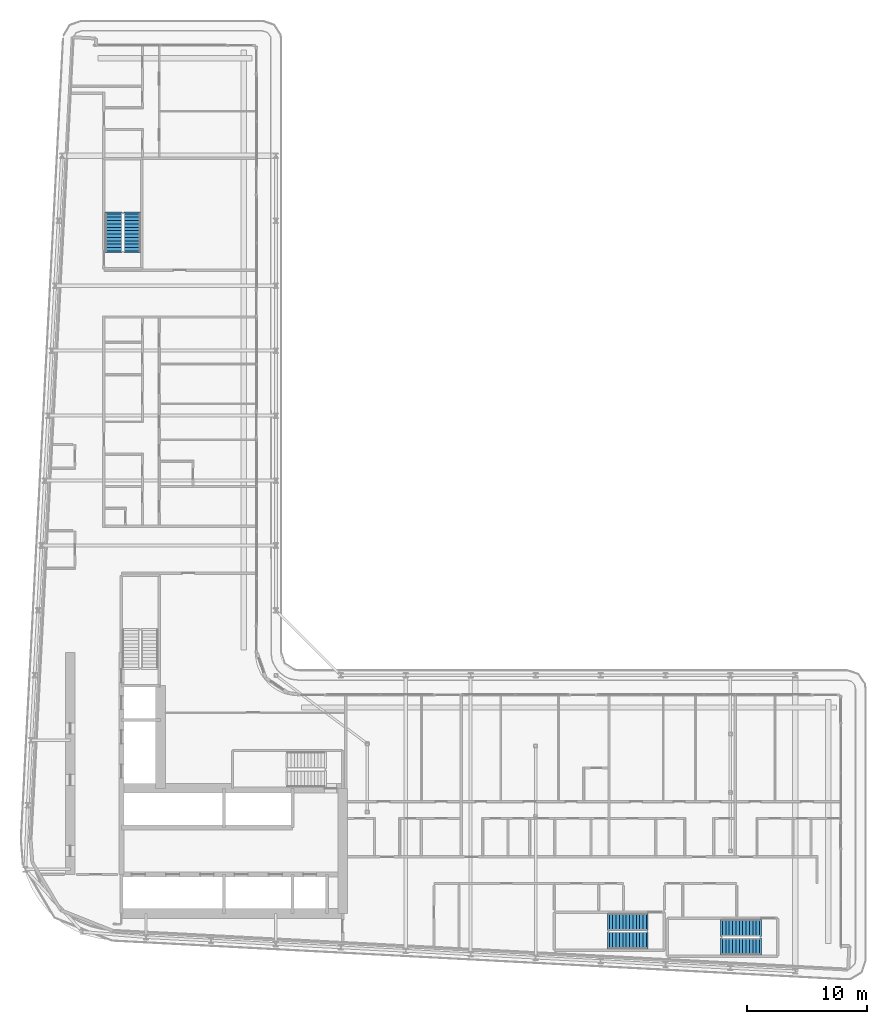
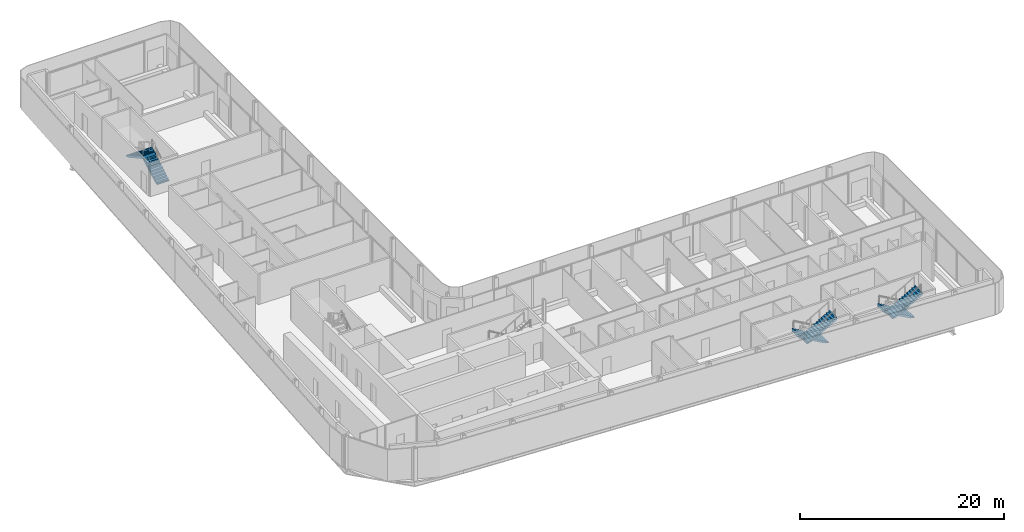
# One storey, part 22 of 29: 6 stair flights, 3 elements without a shape of their own.
"""IFC4 building model written with IfcOpenShell, lengths in metres."""

from ifc_helpers import new_model, si_unit, direction, frame, origin, place, context, subcontext, project, spatial, polyline, outline, extrude, material, layer, layer_set, type_object, element, aggregate, save


model = new_model("IFC4")

# Units and contexts
model_context = context("Model", 3, precision=1e-05, world=origin(), true_north=direction((0.0, 1.0)))
body_context = subcontext(model_context, "Body", "Model", "MODEL_VIEW")
ifc_project = project(units=[si_unit("LENGTHUNIT", "METRE"), si_unit("AREAUNIT", "SQUARE_METRE"), si_unit("VOLUMEUNIT", "CUBIC_METRE"), si_unit("PLANEANGLEUNIT", "RADIAN"), si_unit("MASSUNIT", "GRAM", prefix="KILO")], contexts=[model_context])

# Site, building, storey
site_placement = place(None, origin())
site = spatial("IfcSite", under=ifc_project, at=site_placement, CompositionType="ELEMENT")
building_placement = place(site_placement, origin())
building = spatial("IfcBuilding", under=site, at=building_placement, Name="Kheshtan School and Residences Tower", CompositionType="ELEMENT")
storey_placement = place(building_placement, frame((0.0, 0.0, 172.10009765625)))
storey = spatial("IfcBuildingStorey", under=building, at=storey_placement, Name="L40", CompositionType="ELEMENT", Elevation=172.10009765625)

# Stair, stair flights
ifc_material = material(Name="Concrete C40/50", Category="concrete")
stair_type = type_object("IfcStairType", Name="Exit stair, half-turn", PredefinedType="HALF_TURN_STAIR", material=ifc_material)
stair_1_placement = place(storey_placement, origin())
stair_1 = element("IfcStair", 1, at=stair_1_placement, inside=storey, type_object=stair_type, Name="L40 Protected Exit Stair ST3", PredefinedType="HALF_TURN_STAIR")
ifc_layer = layer(ifc_material, 0.14990234375)
ifc_layer_set = layer_set([ifc_layer], Name="Stair flight 1400 Concrete C40/50")
stair_flight_type = type_object("IfcStairFlightType", Name="Stair flight 1400 Concrete C40/50", PredefinedType="STRAIGHT", material=ifc_layer_set)
stair_flight_1_placement = place(storey_placement, frame((35.64990234375, 80.89990234375, 0.0), z_axis=(0.0, 0.0, 1.0), x_axis=(0.0, 1.0, 0.0)))
stair_flight_1 = element("IfcStairFlight", 2, at=stair_flight_1_placement, type_object=stair_flight_type, Name="ST3 flight 1", NumberOfRisers=12, NumberOfTreads=11, PredefinedType="STRAIGHT", RiserHeight=0.1625, TreadLength=0.28, context=body_context, shape_type="SweptSolid", body=[
    extrude(outline(polyline([(-0.14990234375, -0.10009765625), (-0.14990234375, 0.0), (0.0, 0.0), (0.0, 0.16259765625), (0.280029296875, 0.16259765625), (0.280029296875, 0.324951171875), (0.56005859375, 0.324951171875), (0.56005859375, 0.487548828125), (0.840087890625, 0.487548828125), (0.840087890625, 0.64990234375), (1.1201171875, 0.64990234375), (1.1201171875, 0.8125), (1.39990234375, 0.8125), (1.39990234375, 0.97509765625), (1.679931640625, 0.97509765625), (1.679931640625, 1.137451171875), (1.9599609375, 1.137451171875), (1.9599609375, 1.300048828125), (2.239990234375, 1.300048828125), (2.239990234375, 1.46240234375), (2.52001953125, 1.46240234375), (2.52001953125, 1.625), (2.800048828125, 1.625), (2.800048828125, 1.78759765625), (3.080078125, 1.78759765625), (3.080078125, 1.949951171875), (3.080078125, 1.969970703125), (3.22998046875, 1.969970703125), (3.22998046875, 1.6142578125), (0.298583984375, 0.0), (-0.14990234375, -0.10009765625)])), frame((0.0, 0.699951171875, 0.0), z_axis=(0.0, -1.0, 0.0), x_axis=(1.0, 0.0, 0.0)), (0.0, 0.0, 1.0), 1.39990234375),
])
stair_flight_2_placement = place(storey_placement, frame((34.10009765625, 83.97998046875, 1.949951171875), z_axis=(0.0, 0.0, 1.0), x_axis=(0.0, -1.0, 0.0)))
stair_flight_2 = element("IfcStairFlight", 3, at=stair_flight_2_placement, type_object=stair_flight_type, Name="ST3 flight 2", NumberOfRisers=12, NumberOfTreads=11, PredefinedType="STRAIGHT", RiserHeight=0.1625, TreadLength=0.28, context=body_context, shape_type="SweptSolid", body=[
    extrude(outline(polyline([(-0.14990234375, -0.10009765625), (-0.14990234375, 0.0), (0.0, 0.0), (0.0, 0.16259765625), (0.280029296875, 0.16259765625), (0.280029296875, 0.324951171875), (0.56005859375, 0.324951171875), (0.56005859375, 0.487548828125), (0.840087890625, 0.487548828125), (0.840087890625, 0.64990234375), (1.1201171875, 0.64990234375), (1.1201171875, 0.8125), (1.39990234375, 0.8125), (1.39990234375, 0.97509765625), (1.679931640625, 0.97509765625), (1.679931640625, 1.137451171875), (1.9599609375, 1.137451171875), (1.9599609375, 1.300048828125), (2.239990234375, 1.300048828125), (2.239990234375, 1.46240234375), (2.52001953125, 1.46240234375), (2.52001953125, 1.625), (2.800048828125, 1.625), (2.800048828125, 1.78759765625), (3.080078125, 1.78759765625), (3.080078125, 1.949951171875), (3.080078125, 1.969970703125), (3.22998046875, 1.969970703125), (3.22998046875, 1.6142578125), (0.298583984375, 0.0), (-0.14990234375, -0.10009765625)])), frame((0.0, 0.699951171875, 0.0), z_axis=(0.0, -1.0, 0.0), x_axis=(1.0, 0.0, 0.0)), (0.0, 0.0, 1.0), 1.39990234375),
])
aggregate(stair_1, [stair_flight_1, stair_flight_2])

stair_2_placement = place(storey_placement, origin())
stair_2 = element("IfcStair", 4, at=stair_2_placement, inside=storey, type_object=stair_type, Name="L40 Protected Exit Stair ST4", PredefinedType="HALF_TURN_STAIR")
stair_flight_3_placement = place(storey_placement, frame((87.820068359375, 24.60009765625, 0.0), z_axis=(0.0, 0.0, 1.0), x_axis=(-1.0, 0.0, 0.0)))
stair_flight_3 = element("IfcStairFlight", 5, at=stair_flight_3_placement, type_object=stair_flight_type, Name="ST4 flight 1", NumberOfRisers=12, NumberOfTreads=11, PredefinedType="STRAIGHT", RiserHeight=0.1625, TreadLength=0.28, context=body_context, shape_type="SweptSolid", body=[
    extrude(outline(polyline([(-0.14990234375, -0.10009765625), (-0.14990234375, 0.0), (0.0, 0.0), (0.0, 0.16259765625), (0.280029296875, 0.16259765625), (0.280029296875, 0.324951171875), (0.56005859375, 0.324951171875), (0.56005859375, 0.487548828125), (0.840087890625, 0.487548828125), (0.840087890625, 0.64990234375), (1.1201171875, 0.64990234375), (1.1201171875, 0.8125), (1.39990234375, 0.8125), (1.39990234375, 0.97509765625), (1.679931640625, 0.97509765625), (1.679931640625, 1.137451171875), (1.9599609375, 1.137451171875), (1.9599609375, 1.300048828125), (2.239990234375, 1.300048828125), (2.239990234375, 1.46240234375), (2.52001953125, 1.46240234375), (2.52001953125, 1.625), (2.800048828125, 1.625), (2.800048828125, 1.78759765625), (3.080078125, 1.78759765625), (3.080078125, 1.949951171875), (3.080078125, 1.969970703125), (3.22998046875, 1.969970703125), (3.22998046875, 1.6142578125), (0.298583984375, 0.0), (-0.14990234375, -0.10009765625)])), frame((0.0, 0.699951171875, 0.0), z_axis=(0.0, -1.0, 0.0), x_axis=(1.0, 0.0, 0.0)), (0.0, 0.0, 1.0), 1.39990234375),
])
stair_flight_4_placement = place(storey_placement, frame((84.739990234375, 23.050048828125, 1.949951171875), z_axis=(0.0, 0.0, 1.0), x_axis=(1.0, 0.0, 0.0)))
stair_flight_4 = element("IfcStairFlight", 6, at=stair_flight_4_placement, type_object=stair_flight_type, Name="ST4 flight 2", NumberOfRisers=12, NumberOfTreads=11, PredefinedType="STRAIGHT", RiserHeight=0.1625, TreadLength=0.28, context=body_context, shape_type="SweptSolid", body=[
    extrude(outline(polyline([(-0.14990234375, -0.10009765625), (-0.14990234375, 0.0), (0.0, 0.0), (0.0, 0.16259765625), (0.280029296875, 0.16259765625), (0.280029296875, 0.324951171875), (0.56005859375, 0.324951171875), (0.56005859375, 0.487548828125), (0.840087890625, 0.487548828125), (0.840087890625, 0.64990234375), (1.1201171875, 0.64990234375), (1.1201171875, 0.8125), (1.39990234375, 0.8125), (1.39990234375, 0.97509765625), (1.679931640625, 0.97509765625), (1.679931640625, 1.137451171875), (1.9599609375, 1.137451171875), (1.9599609375, 1.300048828125), (2.239990234375, 1.300048828125), (2.239990234375, 1.46240234375), (2.52001953125, 1.46240234375), (2.52001953125, 1.625), (2.800048828125, 1.625), (2.800048828125, 1.78759765625), (3.080078125, 1.78759765625), (3.080078125, 1.949951171875), (3.080078125, 1.969970703125), (3.22998046875, 1.969970703125), (3.22998046875, 1.6142578125), (0.298583984375, 0.0), (-0.14990234375, -0.10009765625)])), frame((0.0, 0.699951171875, 0.0), z_axis=(0.0, -1.0, 0.0), x_axis=(1.0, 0.0, 0.0)), (0.0, 0.0, 1.0), 1.39990234375),
])
aggregate(stair_2, [stair_flight_3, stair_flight_4])

stair_3_placement = place(storey_placement, origin())
stair_3 = element("IfcStair", 7, at=stair_3_placement, inside=storey, type_object=stair_type, Name="L40 Protected Exit Stair ST5", PredefinedType="HALF_TURN_STAIR")
stair_flight_5_placement = place(storey_placement, frame((78.409912109375, 25.10009765625, 0.0), z_axis=(0.0, 0.0, 1.0), x_axis=(-1.0, 0.0, 0.0)))
stair_flight_5 = element("IfcStairFlight", 8, at=stair_flight_5_placement, type_object=stair_flight_type, Name="ST5 flight 1", NumberOfRisers=12, NumberOfTreads=11, PredefinedType="STRAIGHT", RiserHeight=0.1625, TreadLength=0.28, context=body_context, shape_type="SweptSolid", body=[
    extrude(outline(polyline([(-0.14990234375, -0.10009765625), (-0.14990234375, 0.0), (0.0, 0.0), (0.0, 0.16259765625), (0.280029296875, 0.16259765625), (0.280029296875, 0.324951171875), (0.56005859375, 0.324951171875), (0.56005859375, 0.487548828125), (0.840087890625, 0.487548828125), (0.840087890625, 0.64990234375), (1.1201171875, 0.64990234375), (1.1201171875, 0.8125), (1.39990234375, 0.8125), (1.39990234375, 0.97509765625), (1.679931640625, 0.97509765625), (1.679931640625, 1.137451171875), (1.9599609375, 1.137451171875), (1.9599609375, 1.300048828125), (2.239990234375, 1.300048828125), (2.239990234375, 1.46240234375), (2.52001953125, 1.46240234375), (2.52001953125, 1.625), (2.800048828125, 1.625), (2.800048828125, 1.78759765625), (3.080078125, 1.78759765625), (3.080078125, 1.949951171875), (3.080078125, 1.969970703125), (3.22998046875, 1.969970703125), (3.22998046875, 1.6142578125), (0.298583984375, 0.0), (-0.14990234375, -0.10009765625)])), frame((0.0, 0.699951171875, 0.0), z_axis=(0.0, -1.0, 0.0), x_axis=(1.0, 0.0, 0.0)), (0.0, 0.0, 1.0), 1.39990234375),
])
stair_flight_6_placement = place(storey_placement, frame((75.330078125, 23.550048828125, 1.949951171875), z_axis=(0.0, 0.0, 1.0), x_axis=(1.0, 0.0, 0.0)))
stair_flight_6 = element("IfcStairFlight", 9, at=stair_flight_6_placement, type_object=stair_flight_type, Name="ST5 flight 2", NumberOfRisers=12, NumberOfTreads=11, PredefinedType="STRAIGHT", RiserHeight=0.1625, TreadLength=0.28, context=body_context, shape_type="SweptSolid", body=[
    extrude(outline(polyline([(-0.14990234375, -0.10009765625), (-0.14990234375, 0.0), (0.0, 0.0), (0.0, 0.16259765625), (0.280029296875, 0.16259765625), (0.280029296875, 0.324951171875), (0.56005859375, 0.324951171875), (0.56005859375, 0.487548828125), (0.840087890625, 0.487548828125), (0.840087890625, 0.64990234375), (1.1201171875, 0.64990234375), (1.1201171875, 0.8125), (1.39990234375, 0.8125), (1.39990234375, 0.97509765625), (1.679931640625, 0.97509765625), (1.679931640625, 1.137451171875), (1.9599609375, 1.137451171875), (1.9599609375, 1.300048828125), (2.239990234375, 1.300048828125), (2.239990234375, 1.46240234375), (2.52001953125, 1.46240234375), (2.52001953125, 1.625), (2.800048828125, 1.625), (2.800048828125, 1.78759765625), (3.080078125, 1.78759765625), (3.080078125, 1.949951171875), (3.080078125, 1.969970703125), (3.22998046875, 1.969970703125), (3.22998046875, 1.6142578125), (0.298583984375, 0.0), (-0.14990234375, -0.10009765625)])), frame((0.0, 0.699951171875, 0.0), z_axis=(0.0, -1.0, 0.0), x_axis=(1.0, 0.0, 0.0)), (0.0, 0.0, 1.0), 1.39990234375),
])
aggregate(stair_3, [stair_flight_5, stair_flight_6])

save(model, "model.ifc")
